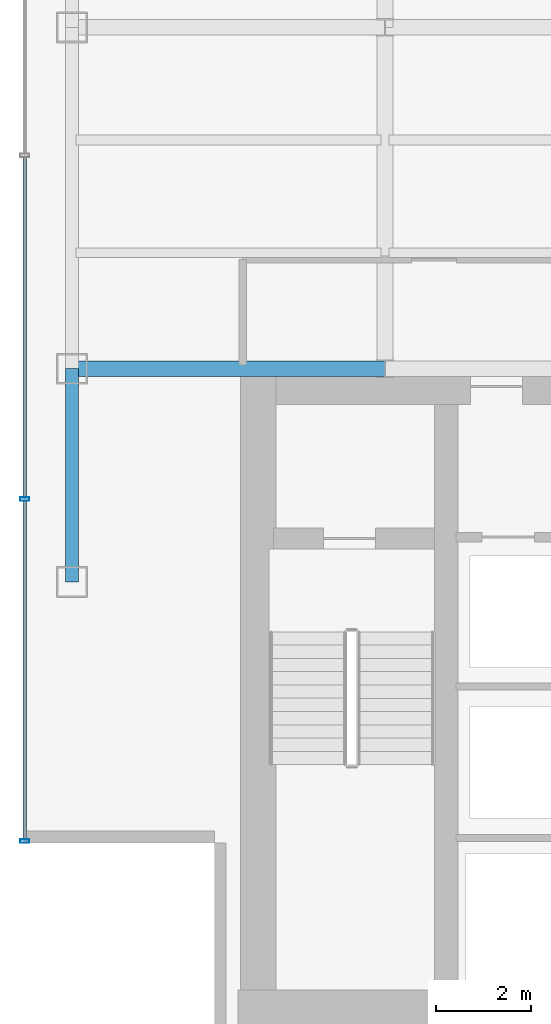
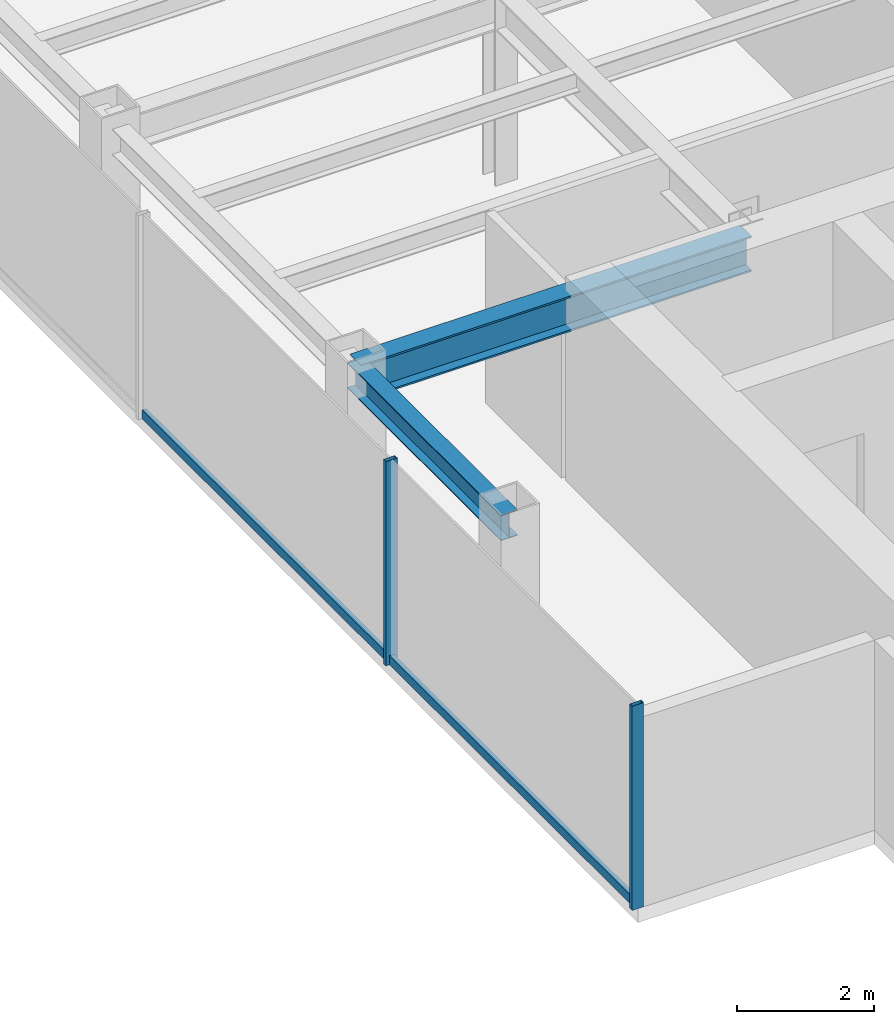
# One storey, part 3 of 25: 4 members, 2 beams, 1 element without a shape of its own.
"""IFC4 building model written with IfcOpenShell, lengths in metres."""

from ifc_helpers import new_model, si_unit, derived_unit, direction, frame, origin, origin_2d, place, context, subcontext, project, spatial, hollow_rectangle, i_section, extrude, source, transform, mapped, material, material_profile, profile_set, type_object, element, aggregate, save


model = new_model("IFC4")

# Units and contexts
model_context = context("Model", 3, precision=1e-05, world=origin(), true_north=direction((0.0, 1.0)))
body_context = subcontext(model_context, "Body", "Model", "MODEL_VIEW")
ifc_project = project(units=[si_unit("LENGTHUNIT", "METRE"), si_unit("AREAUNIT", "SQUARE_METRE"), si_unit("VOLUMEUNIT", "CUBIC_METRE"), si_unit("PLANEANGLEUNIT", "RADIAN"), si_unit("MASSUNIT", "GRAM", prefix="KILO"), derived_unit("THERMALTRANSMITTANCEUNIT", [(si_unit("POWERUNIT", "WATT"), 1), (si_unit("LENGTHUNIT", "METRE"), -2), (si_unit("THERMODYNAMICTEMPERATUREUNIT", "KELVIN"), -1)])], contexts=[model_context])

# Site, building, storey
site_placement = place(None, origin())
site = spatial("IfcSite", under=ifc_project, at=site_placement, CompositionType="ELEMENT")
building_placement = place(site_placement, origin())
building = spatial("IfcBuilding", under=site, at=building_placement, Name="Skarnbrae Concourse Arena and Tower", CompositionType="ELEMENT")
storey_placement = place(building_placement, frame((0.0, 0.0, 151.550048828125)))
storey = spatial("IfcBuildingStorey", under=building, at=storey_placement, Name="L38", CompositionType="ELEMENT", Elevation=151.550048828125)

# Beams
ifc_material_1 = material(Name="Steel CSA G40.21 350W", Category="steel")
ifc_material_profile_1 = material_profile(ifc_material_1, i_section(OverallWidth=0.3291015625, OverallDepth=0.635009765625, WebThickness=0.017822265625, FlangeThickness=0.031005859375, at=origin_2d()), Name="W610X241")
ifc_profile_set_1 = profile_set([ifc_material_profile_1], Name="Steel CSA G40.21 350W")
beam_type_1 = type_object("IfcBeamType", Name="BM-GIRD-W610X241", PredefinedType="BEAM", material=ifc_profile_set_1)
shared_shape_1 = source(origin(), body_context, "Body", "SweptSolid", [
    extrude(i_section(OverallWidth=0.3291015625, OverallDepth=0.635009765625, WebThickness=0.017822265625, FlangeThickness=0.031005859375, at=origin_2d()), origin(), (0.0, 0.0, 1.0), 6.60009765625),
])
beam_1_placement = place(storey_placement, frame((1.0, 14.0, 3.08251953125), z_axis=(1.0, 0.0, 0.0), x_axis=(0.0, 1.0, 0.0)))
element("IfcBeam", 1, at=beam_1_placement, inside=storey, type_object=beam_type_1, Name="L38 Primary E-W girder Y14.0-1", PredefinedType="BEAM", context=body_context, shape_type="MappedRepresentation", body=[
    mapped(shared_shape_1, transform((0.0, 0.0, 0.0))),
])
ifc_material_profile_2 = material_profile(ifc_material_1, i_section(OverallWidth=0.280029296875, OverallDepth=0.462890625, WebThickness=0.0107421875, FlangeThickness=0.017333984375, at=origin_2d()), Name="W460X113")
ifc_profile_set_2 = profile_set([ifc_material_profile_2], Name="Steel CSA G40.21 350W")
beam_type_2 = type_object("IfcBeamType", Name="BM-SPAN-W460X113", PredefinedType="SPANDREL", material=ifc_profile_set_2)
shared_shape_2 = source(origin(), body_context, "Body", "SweptSolid", [
    extrude(i_section(OverallWidth=0.280029296875, OverallDepth=0.462890625, WebThickness=0.0107421875, FlangeThickness=0.017333984375, at=origin_2d()), origin(), (0.0, 0.0, 1.0), 4.5),
])
beam_2_placement = place(storey_placement, frame((1.0, 9.5, 3.16845703125), z_axis=(0.0, 1.0, 0.0), x_axis=(-1.0, 0.0, 0.0)))
element("IfcBeam", 2, at=beam_2_placement, inside=storey, type_object=beam_type_2, Name="L38 Perimeter spandrel X1.0-1", PredefinedType="SPANDREL", context=body_context, shape_type="MappedRepresentation", body=[
    mapped(shared_shape_2, transform((0.0, 0.0, 0.0))),
])

# Curtain wall, members
ifc_material_2 = material(Name="Bronze anodised aluminium 6063-T6", Category="aluminium")
curtain_wall_type = type_object("IfcCurtainWallType", Name="CW-SYS-04-MIDZONE", PredefinedType="USERDEFINED", material=ifc_material_2)
curtain_wall_placement = place(storey_placement, origin())
curtain_wall = element("IfcCurtainWall", 3, at=curtain_wall_placement, inside=storey, type_object=curtain_wall_type, Name="L38 Unitised curtain wall CW-L38-E18", ObjectType="UNITISED CURTAIN WALL", PredefinedType="USERDEFINED")
ifc_material_profile_3 = material_profile(ifc_material_2, hollow_rectangle(XDim=0.074951171875, YDim=0.195068359375, WallThickness=0.00439453125, at=origin_2d()), Name="ALU-MULL-75X195")
ifc_profile_set_3 = profile_set([ifc_material_profile_3], Name="Bronze anodised aluminium 6063-T6")
member_type_1 = type_object("IfcMemberType", Name="CWM-CW-04", PredefinedType="MULLION", material=ifc_profile_set_3)
shared_shape_3 = source(origin(), body_context, "Body", "SweptSolid", [
    extrude(hollow_rectangle(XDim=0.074951171875, YDim=0.195068359375, WallThickness=0.00439453125, at=origin_2d()), origin(), (0.0, 0.0, 1.0), 3.64990234375),
])
member_1_placement = place(storey_placement, frame((0.0, 11.25, 0.0), z_axis=(0.0, 0.0, 1.0), x_axis=(0.0, -1.0, 0.0)))
member_1 = element("IfcMember", 4, at=member_1_placement, type_object=member_type_1, Name="CW-L38-E18 Mullion 4", PredefinedType="MULLION", context=body_context, shape_type="MappedRepresentation", body=[
    mapped(shared_shape_3, transform((0.0, 0.0, 0.0))),
])
member_2_placement = place(storey_placement, frame((0.0, 4.03759765625, 0.0), z_axis=(0.0, 0.0, 1.0), x_axis=(0.0, -1.0, 0.0)))
member_2 = element("IfcMember", 5, at=member_2_placement, type_object=member_type_1, Name="CW-L38-E18 Mullion 5", PredefinedType="MULLION", context=body_context, shape_type="MappedRepresentation", body=[
    mapped(shared_shape_3, transform((0.0, 0.0, 0.0))),
])
ifc_material_profile_4 = material_profile(ifc_material_2, hollow_rectangle(XDim=0.074951171875, YDim=0.159912109375, WallThickness=0.00439453125, at=origin_2d()), Name="ALU-TRAN-75X160")
ifc_profile_set_4 = profile_set([ifc_material_profile_4], Name="Bronze anodised aluminium 6063-T6")
member_type_2 = type_object("IfcMemberType", Name="CWT-CW-04", PredefinedType="USERDEFINED", material=ifc_profile_set_4)
shared_shape_4 = source(origin(), body_context, "Body", "SweptSolid", [
    extrude(hollow_rectangle(XDim=0.074951171875, YDim=0.159912109375, WallThickness=0.00439453125, at=origin_2d()), origin(), (0.0, 0.0, 1.0), 7.137451171875),
])
member_3_placement = place(storey_placement, frame((0.0, 11.21240234375, 0.079833984375), z_axis=(0.0, -1.0, 0.0), x_axis=(1.0, 0.0, 0.0)))
member_3 = element("IfcMember", 6, at=member_3_placement, type_object=member_type_2, Name="CW-L38-E18 Transom 4", ObjectType="TRANSOM", PredefinedType="USERDEFINED", context=body_context, shape_type="MappedRepresentation", body=[
    mapped(shared_shape_4, transform((0.0, 0.0, 0.0))),
])
shared_shape_5 = source(origin(), body_context, "Body", "SweptSolid", [
    extrude(hollow_rectangle(XDim=0.074951171875, YDim=0.159912109375, WallThickness=0.00439453125, at=origin_2d()), origin(), (0.0, 0.0, 1.0), 7.1748046875),
])
member_4_placement = place(storey_placement, frame((0.0, 18.46240234375, 0.079833984375), z_axis=(0.0, -1.0, 0.0), x_axis=(1.0, 0.0, 0.0)))
member_4 = element("IfcMember", 7, at=member_4_placement, type_object=member_type_2, Name="CW-L38-E18 Transom 3", ObjectType="TRANSOM", PredefinedType="USERDEFINED", context=body_context, shape_type="MappedRepresentation", body=[
    mapped(shared_shape_5, transform((0.0, 0.0, 0.0))),
])
aggregate(curtain_wall, [member_1, member_2, member_4, member_3])

save(model, "model.ifc")
